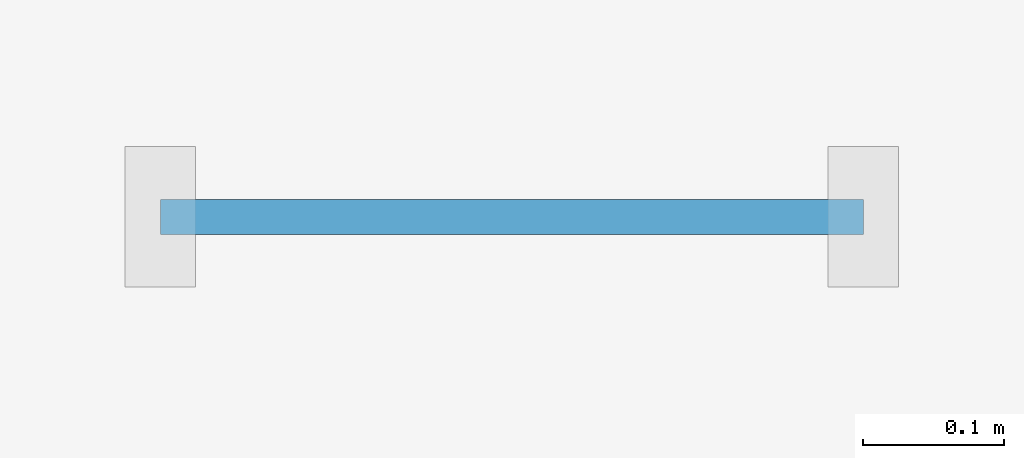
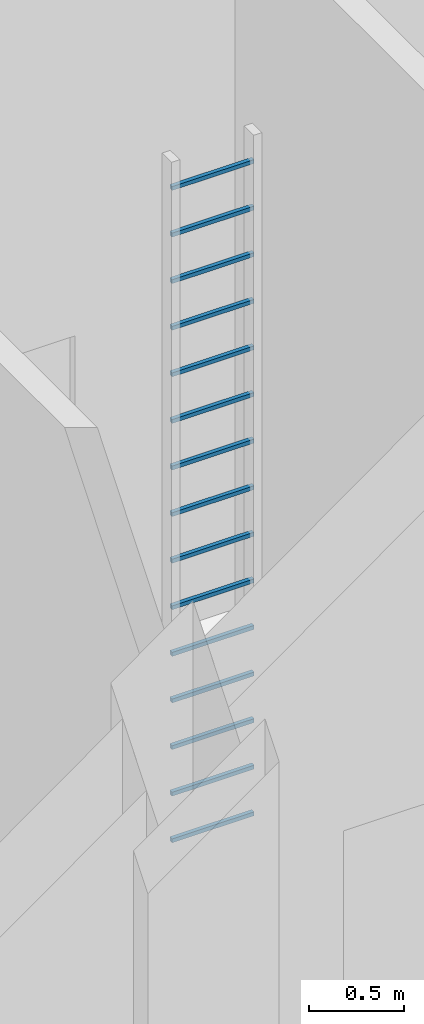
# One storey, part 63 of 77: 15 discrete accessories.
"""IFC4 building model written with IfcOpenShell, lengths in metres."""

from ifc_helpers import new_model, si_unit, direction, frame, origin, place, context, subcontext, project, spatial, polyline, outline, extrude, material, type_object, element, save


model = new_model("IFC4")

# Units and contexts
model_context = context("Model", 3, precision=1e-05, world=origin(), true_north=direction((0.0, 1.0)))
body_context = subcontext(model_context, "Body", "Model", "MODEL_VIEW")
ifc_project = project(units=[si_unit("LENGTHUNIT", "METRE"), si_unit("AREAUNIT", "SQUARE_METRE"), si_unit("VOLUMEUNIT", "CUBIC_METRE"), si_unit("PLANEANGLEUNIT", "RADIAN"), si_unit("MASSUNIT", "GRAM", prefix="KILO")], contexts=[model_context])

# Site, building, storey
site_placement = place(None, origin())
site = spatial("IfcSite", under=ifc_project, at=site_placement, CompositionType="ELEMENT")
building_placement = place(site_placement, origin())
building = spatial("IfcBuilding", under=site, at=building_placement, Name="Aravalli Gate Trade Fair Centre", CompositionType="ELEMENT")
storey_placement = place(building_placement, origin())
storey = spatial("IfcBuildingStorey", under=building, at=storey_placement, Name="L00", CompositionType="ELEMENT", Elevation=0.0)

# Discrete accessories
ifc_material = material(Name="Steel E350", Category="steel")
discrete_accessory_type = type_object("IfcDiscreteAccessoryType", Name="Wing roof ladder part", PredefinedType="USERDEFINED", material=ifc_material)
for number, where, name in (
    (1, (0.0, 0.0, 0.4375), "Roof ladder rung 1"),
    (2, (0.0, 0.0, 0.737548828125), "Roof ladder rung 2"),
    (3, (0.0, 0.0, 1.03759765625), "Roof ladder rung 3"),
):
    element("IfcDiscreteAccessory", number, at=place(storey_placement, frame(where)), inside=storey, type_object=discrete_accessory_type, Name=name, ObjectType="LADDER", PredefinedType="USERDEFINED", context=body_context, shape_type="SweptSolid", body=[
        extrude(outline(polyline([(196.300048828125, 141.1875), (196.800048828125, 141.1875), (196.800048828125, 141.21240234375), (196.300048828125, 141.21240234375), (196.300048828125, 141.1875)])), origin(), (0.0, 0.0, 1.0), 0.02490234375),
    ])
for number, where, name in (
    (4, (0.0, 0.0, 1.33740234375), "Roof ladder rung 4"),
    (5, (0.0, 0.0, 1.637451171875), "Roof ladder rung 5"),
):
    element("IfcDiscreteAccessory", number, at=place(storey_placement, frame(where)), inside=storey, type_object=discrete_accessory_type, Name=name, ObjectType="LADDER", PredefinedType="USERDEFINED", context=body_context, shape_type="SweptSolid", body=[
        extrude(outline(polyline([(196.300048828125, 141.1875), (196.800048828125, 141.1875), (196.800048828125, 141.21240234375), (196.300048828125, 141.21240234375), (196.300048828125, 141.1875)])), origin(), (0.0, 0.0, 1.0), 0.025146484375),
    ])
for number, where, name in (
    (6, (0.0, 0.0, 1.9375), "Roof ladder rung 6"),
    (7, (0.0, 0.0, 2.237548828125), "Roof ladder rung 7"),
    (8, (0.0, 0.0, 2.53759765625), "Roof ladder rung 8"),
):
    element("IfcDiscreteAccessory", number, at=place(storey_placement, frame(where)), inside=storey, type_object=discrete_accessory_type, Name=name, ObjectType="LADDER", PredefinedType="USERDEFINED", context=body_context, shape_type="SweptSolid", body=[
        extrude(outline(polyline([(196.300048828125, 141.1875), (196.800048828125, 141.1875), (196.800048828125, 141.21240234375), (196.300048828125, 141.21240234375), (196.300048828125, 141.1875)])), origin(), (0.0, 0.0, 1.0), 0.02490234375),
    ])
for number, where, name in (
    (9, (0.0, 0.0, 2.83740234375), "Roof ladder rung 9"),
    (10, (0.0, 0.0, 3.137451171875), "Roof ladder rung 10"),
):
    element("IfcDiscreteAccessory", number, at=place(storey_placement, frame(where)), inside=storey, type_object=discrete_accessory_type, Name=name, ObjectType="LADDER", PredefinedType="USERDEFINED", context=body_context, shape_type="SweptSolid", body=[
        extrude(outline(polyline([(196.300048828125, 141.1875), (196.800048828125, 141.1875), (196.800048828125, 141.21240234375), (196.300048828125, 141.21240234375), (196.300048828125, 141.1875)])), origin(), (0.0, 0.0, 1.0), 0.025146484375),
    ])
for number, where, name in (
    (11, (0.0, 0.0, 3.4375), "Roof ladder rung 11"),
    (12, (0.0, 0.0, 3.737548828125), "Roof ladder rung 12"),
    (13, (0.0, 0.0, 4.03759765625), "Roof ladder rung 13"),
):
    element("IfcDiscreteAccessory", number, at=place(storey_placement, frame(where)), inside=storey, type_object=discrete_accessory_type, Name=name, ObjectType="LADDER", PredefinedType="USERDEFINED", context=body_context, shape_type="SweptSolid", body=[
        extrude(outline(polyline([(196.300048828125, 141.1875), (196.800048828125, 141.1875), (196.800048828125, 141.21240234375), (196.300048828125, 141.21240234375), (196.300048828125, 141.1875)])), origin(), (0.0, 0.0, 1.0), 0.02490234375),
    ])
for number, where, name in (
    (14, (0.0, 0.0, 4.33740234375), "Roof ladder rung 14"),
    (15, (0.0, 0.0, 4.637451171875), "Roof ladder rung 15"),
):
    element("IfcDiscreteAccessory", number, at=place(storey_placement, frame(where)), inside=storey, type_object=discrete_accessory_type, Name=name, ObjectType="LADDER", PredefinedType="USERDEFINED", context=body_context, shape_type="SweptSolid", body=[
        extrude(outline(polyline([(196.300048828125, 141.1875), (196.800048828125, 141.1875), (196.800048828125, 141.21240234375), (196.300048828125, 141.21240234375), (196.300048828125, 141.1875)])), origin(), (0.0, 0.0, 1.0), 0.025146484375),
    ])

save(model, "model.ifc")
